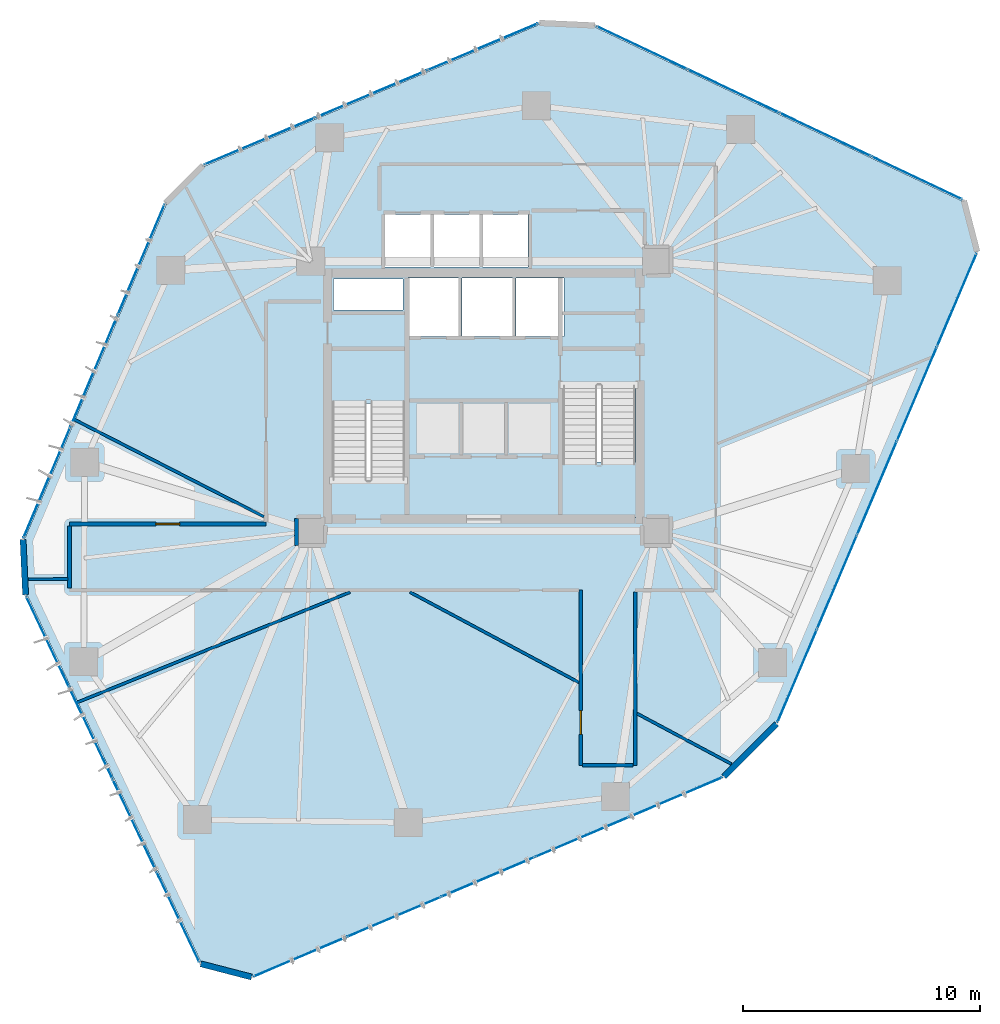
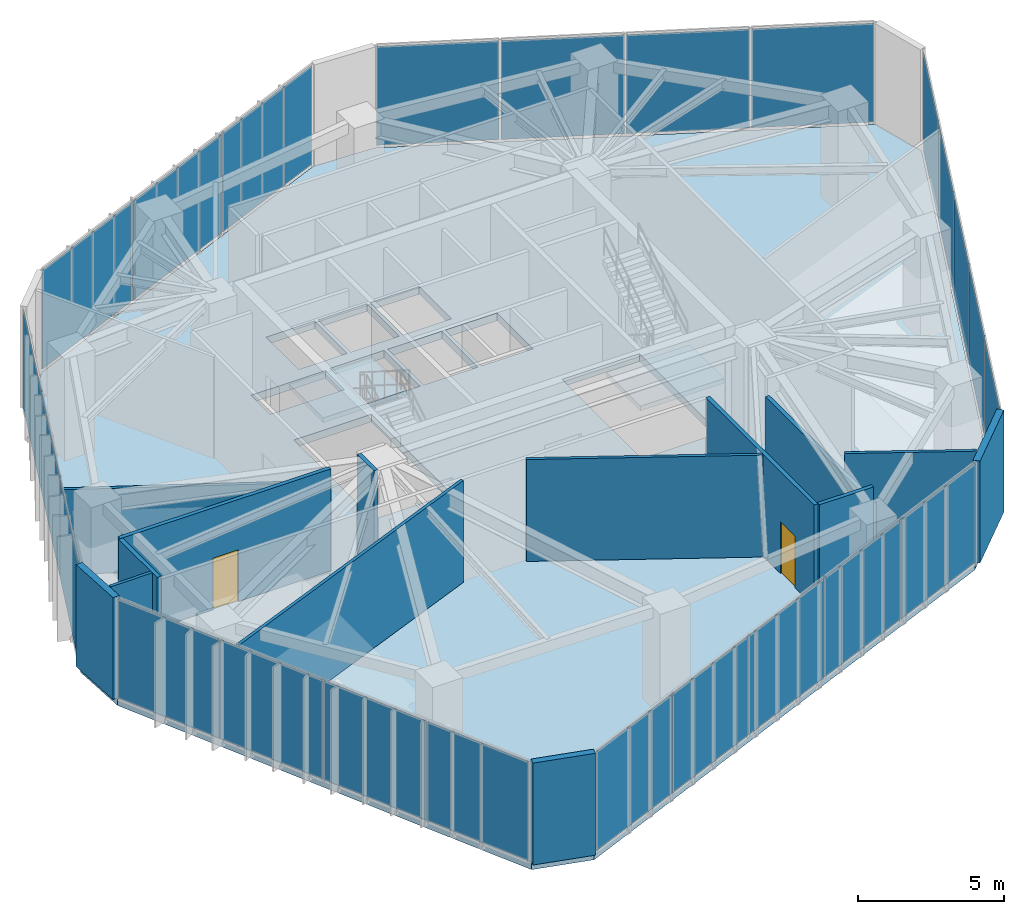
# One storey, part 21 of 28: 24 plates, 14 walls, 3 slabs, 2 doors, 2 openings, 8 elements without a shape of their own.
"""IFC4 building model written with IfcOpenShell, lengths in metres."""

from ifc_helpers import new_model, si_unit, direction, frame, frame_2d, origin, origin_2d, place, context, subcontext, project, spatial, polyline, rectangle, outline, extrude, source, transform, mapped, material, layer, layer_set, type_object, type_shapes, element, fill, aggregate, save


model = new_model("IFC4")

# Units and contexts
model_context = context("Model", 3, precision=1e-05, world=origin(), true_north=direction((0.0, 1.0)))
body_context = subcontext(model_context, "Body", "Model", "MODEL_VIEW")
ifc_project = project(units=[si_unit("LENGTHUNIT", "METRE"), si_unit("AREAUNIT", "SQUARE_METRE"), si_unit("VOLUMEUNIT", "CUBIC_METRE"), si_unit("PLANEANGLEUNIT", "RADIAN"), si_unit("MASSUNIT", "GRAM", prefix="KILO")], contexts=[model_context])

# Site, building, storey
site_placement = place(None, origin())
site = spatial("IfcSite", under=ifc_project, at=site_placement, CompositionType="ELEMENT")
building_placement = place(site_placement, origin())
building = spatial("IfcBuilding", under=site, at=building_placement, Name="Talar Marvaseh", CompositionType="ELEMENT")
storey_placement = place(building_placement, frame((0.0, 0.0, 157.800048828125)))
storey = spatial("IfcBuildingStorey", under=building, at=storey_placement, Name="L41", CompositionType="ELEMENT", Elevation=157.800048828125)

# Stair, slab
ifc_material_1 = material(Name="Concrete C40/50", Category="concrete")
stair_type = type_object("IfcStairType", Name="Reinforced Concrete Half-Turn Exit Stair Type B", PredefinedType="HALF_TURN_STAIR", material=ifc_material_1)
stair_1_placement = place(storey_placement, origin())
stair_1 = element("IfcStair", 1, at=stair_1_placement, inside=storey, type_object=stair_type, Name="L41 Tower West Core Exit Stair", PredefinedType="HALF_TURN_STAIR")
ifc_layer_1 = layer(ifc_material_1, 0.199951171875)
ifc_layer_set_1 = layer_set([ifc_layer_1], Name="Concrete C40/50")
slab_type_1 = type_object("IfcSlabType", Name="Reinforced Concrete Stair Half-Landing Slab 200", PredefinedType="LANDING", material=ifc_layer_set_1)
slab_1_placement = place(storey_placement, frame((0.0, 0.0, 2.099853515625)))
slab_1 = element("IfcSlab", 2, at=slab_1_placement, type_object=slab_type_1, Name="ST-1 landing 1", PredefinedType="LANDING", context=body_context, shape_type="SweptSolid", body=[
    extrude(outline(polyline([(22.780029296875, 30.889892578125), (22.780029296875, 33.219970703125), (19.47998046875, 33.219970703125), (19.47998046875, 30.889892578125), (22.780029296875, 30.889892578125)])), origin(), (0.0, 0.0, 1.0), 0.2001953125),
])
aggregate(stair_1, [slab_1])

stair_2_placement = place(storey_placement, origin())
stair_2 = element("IfcStair", 3, at=stair_2_placement, inside=storey, type_object=stair_type, Name="L41 Tower East Core Exit Stair", PredefinedType="HALF_TURN_STAIR")
slab_2_placement = place(storey_placement, frame((0.0, 0.0, 2.099853515625)))
slab_2 = element("IfcSlab", 4, at=slab_2_placement, type_object=slab_type_1, Name="ST-2 landing 1", PredefinedType="LANDING", context=body_context, shape_type="SweptSolid", body=[
    extrude(outline(polyline([(29.219970703125, 28.409912109375), (29.219970703125, 26.080078125), (32.52001953125, 26.080078125), (32.52001953125, 28.409912109375), (29.219970703125, 28.409912109375)])), origin(), (0.0, 0.0, 1.0), 0.2001953125),
])
aggregate(stair_2, [slab_2])

# Slab
ifc_material_2 = material(Name="Concrete C50/60", Category="concrete")
ifc_layer_2 = layer(ifc_material_2, 0.320068359375)
ifc_layer_set_2 = layer_set([ifc_layer_2], Name="Concrete C50/60")
slab_type_2 = type_object("IfcSlabType", Name="Structural Suspended Floor Slab 320", PredefinedType="FLOOR", material=ifc_layer_set_2)
slab_3_placement = place(storey_placement, frame((0.0, 0.0, -0.320068359375)))
element("IfcSlab", 5, at=slab_3_placement, inside=storey, type_object=slab_type_2, Name="L41 Tower Floor Slab", PredefinedType="FLOOR", context=body_context, shape_type="SweptSolid", body=[
    extrude(outline(polyline([(16.208740234375, 6.71240234375), (14.063720703125, 7.270263671875), (6.7041015625, 22.806884765625), (6.5966796875, 25.145263671875), (12.593505859375, 39.319091796875), (14.180908203125, 40.906494140625), (28.354736328125, 46.9033203125), (30.693115234375, 46.7958984375), (46.229736328125, 39.436279296875), (46.78759765625, 37.291259765625), (38.337646484375, 17.393310546875), (36.106689453125, 15.162353515625), (16.208740234375, 6.71240234375)]), holes=[polyline([(22.659912109375, 27.64990234375), (22.659912109375, 33.10009765625), (19.60009765625, 33.10009765625), (19.60009765625, 27.64990234375), (22.659912109375, 27.64990234375)]), polyline([(29.340087890625, 31.64990234375), (29.340087890625, 26.199951171875), (32.39990234375, 26.199951171875), (32.39990234375, 31.64990234375), (29.340087890625, 31.64990234375)]), polyline([(22.800048828125, 33.719970703125), (24.93994140625, 33.719970703125), (24.93994140625, 36.179931640625), (22.800048828125, 36.179931640625), (22.800048828125, 33.719970703125)]), polyline([(25.080078125, 33.719970703125), (27.219970703125, 33.719970703125), (27.219970703125, 36.179931640625), (25.080078125, 36.179931640625), (25.080078125, 33.719970703125)]), polyline([(27.360107421875, 33.719970703125), (29.39990234375, 33.719970703125), (29.39990234375, 36.179931640625), (27.360107421875, 36.179931640625), (27.360107421875, 33.719970703125)]), polyline([(21.840087890625, 36.659912109375), (23.760009765625, 36.659912109375), (23.760009765625, 38.8798828125), (21.840087890625, 38.8798828125), (21.840087890625, 36.659912109375)]), polyline([(23.89990234375, 36.659912109375), (25.820068359375, 36.659912109375), (25.820068359375, 38.8798828125), (23.89990234375, 38.8798828125), (23.89990234375, 36.659912109375)]), polyline([(25.9599609375, 36.659912109375), (27.8798828125, 36.659912109375), (27.8798828125, 38.8798828125), (25.9599609375, 38.8798828125), (25.9599609375, 36.659912109375)]), polyline([(19.659912109375, 34.840087890625), (22.60009765625, 34.840087890625), (22.60009765625, 36.139892578125), (19.659912109375, 36.139892578125), (19.659912109375, 34.840087890625)])]), origin(), (0.0, 0.0, 1.0), 0.320068359375),
])

# Curtain wall, plates
ifc_material_3 = material(Name="Architectural Aluminium", Category="aluminium")
ifc_layer_3 = layer(ifc_material_3, 0.239990234375)
ifc_layer_set_3 = layer_set([ifc_layer_3], Name="Architectural Aluminium")
curtain_wall_type = type_object("IfcCurtainWallType", Name="Observation Sky Gallery Structural Glass Wall", PredefinedType="NOTDEFINED", material=ifc_layer_set_3)
curtain_wall_1_placement = place(storey_placement, origin())
curtain_wall_1 = element("IfcCurtainWall", 6, at=curtain_wall_1_placement, inside=storey, type_object=curtain_wall_type, Name="L41 Observation Sky Gallery Structural Glass Wall", PredefinedType="NOTDEFINED")
ifc_material_4 = material(Name="Laminated Low-E Solar Glass", Category="glass")
ifc_layer_4 = layer(ifc_material_4, 0.028076171875)
ifc_layer_set_4 = layer_set([ifc_layer_4], Name="Laminated Low-E Solar Glass")
plate_type = type_object("IfcPlateType", Name="Double-Glazed Low-E Vision Curtain Panel 28", PredefinedType="CURTAIN_PANEL", material=ifc_layer_set_4)
shared_shape_1 = source(origin(), body_context, "Body", "SweptSolid", [
    extrude(rectangle(XDim=4.200439453125, YDim=0.028076171875, at=origin_2d()), origin(), (0.0, 0.0, 1.0), 4.1201171875),
])
plate_1_placement = place(storey_placement, frame((13.08251953125, 9.201416015625, 0.06494140625), z_axis=(0.0, 0.0, 1.0), x_axis=(-0.428089095221, 0.903736536028, 0.0)))
plate_1 = element("IfcPlate", 7, at=plate_1_placement, type_object=plate_type, Name="CW-OBS panel 1.1", PredefinedType="CURTAIN_PANEL", context=body_context, shape_type="MappedRepresentation", body=[
    mapped(shared_shape_1, transform((0.0, 0.0, 0.0), x_axis=(1.0, 0.0, 0.0), y_axis=(0.0, 1.0, 0.0), z_axis=(0.0, 0.0, 1.0), scale=1.0)),
])
plate_2_placement = place(storey_placement, frame((7.576904296875, 20.824462890625, 0.06494140625), z_axis=(0.0, 0.0, 1.0), x_axis=(-0.428089095221, 0.903736536028, 0.0)))
plate_2 = element("IfcPlate", 8, at=plate_2_placement, type_object=plate_type, Name="CW-OBS panel 4.1", PredefinedType="CURTAIN_PANEL", context=body_context, shape_type="MappedRepresentation", body=[
    mapped(shared_shape_1, transform((0.0, 0.0, 0.0), x_axis=(1.0, 0.0, 0.0), y_axis=(0.0, 1.0, 0.0), z_axis=(0.0, 0.0, 1.0), scale=1.0)),
])

curtain_wall_2_placement = place(storey_placement, origin())
curtain_wall_2 = element("IfcCurtainWall", 9, at=curtain_wall_2_placement, inside=storey, type_object=curtain_wall_type, Name="L41 Observation Sky Gallery Structural Glass Wall", PredefinedType="NOTDEFINED")
plate_3_placement = place(storey_placement, frame((32.675537109375, 45.923095703125, 0.06494140625), z_axis=(0.0, 0.0, 1.0), x_axis=(0.903736536028, -0.428089095221, 0.0)))
plate_3 = element("IfcPlate", 10, at=plate_3_placement, type_object=plate_type, Name="CW-OBS panel 1.1", PredefinedType="CURTAIN_PANEL", context=body_context, shape_type="MappedRepresentation", body=[
    mapped(shared_shape_1, transform((0.0, 0.0, 0.0), x_axis=(1.0, 0.0, 0.0), y_axis=(0.0, 1.0, 0.0), z_axis=(0.0, 0.0, 1.0), scale=1.0)),
])
plate_4_placement = place(storey_placement, frame((44.298583984375, 40.41748046875, 0.06494140625), z_axis=(0.0, 0.0, 1.0), x_axis=(0.903736536028, -0.428089095221, 0.0)))
plate_4 = element("IfcPlate", 11, at=plate_4_placement, type_object=plate_type, Name="CW-OBS panel 4.1", PredefinedType="CURTAIN_PANEL", context=body_context, shape_type="MappedRepresentation", body=[
    mapped(shared_shape_1, transform((0.0, 0.0, 0.0), x_axis=(1.0, 0.0, 0.0), y_axis=(0.0, 1.0, 0.0), z_axis=(0.0, 0.0, 1.0), scale=1.0)),
])

# Plate
shared_shape_2 = source(origin(), body_context, "Body", "SweptSolid", [
    extrude(rectangle(XDim=4.23291015625, YDim=0.028076171875, at=origin_2d()), origin(), (0.0, 0.0, 1.0), 4.1201171875),
])
plate_5_placement = place(storey_placement, frame((11.24951171875, 13.07080078125, 0.06494140625), z_axis=(0.0, 0.0, 1.0), x_axis=(-0.428089095221, 0.903736536028, 0.0)))
plate_5 = element("IfcPlate", 12, at=plate_5_placement, type_object=plate_type, Name="CW-OBS panel 2.1", PredefinedType="CURTAIN_PANEL", context=body_context, shape_type="MappedRepresentation", body=[
    mapped(shared_shape_2, transform((0.0, 0.0, 0.0), x_axis=(1.0, 0.0, 0.0), y_axis=(0.0, 1.0, 0.0), z_axis=(0.0, 0.0, 1.0), scale=1.0)),
])

plate_6_placement = place(storey_placement, frame((9.40966796875, 16.955078125, 0.06494140625), z_axis=(0.0, 0.0, 1.0), x_axis=(-0.428089095221, 0.903736536028, 0.0)))
plate_6 = element("IfcPlate", 13, at=plate_6_placement, type_object=plate_type, Name="CW-OBS panel 3.1", PredefinedType="CURTAIN_PANEL", context=body_context, shape_type="MappedRepresentation", body=[
    mapped(shared_shape_2, transform((0.0, 0.0, 0.0), x_axis=(1.0, 0.0, 0.0), y_axis=(0.0, 1.0, 0.0), z_axis=(0.0, 0.0, 1.0), scale=1.0)),
])

aggregate(curtain_wall_1, [plate_1, plate_5, plate_6, plate_2])

plate_7_placement = place(storey_placement, frame((36.544921875, 44.09033203125, 0.06494140625), z_axis=(0.0, 0.0, 1.0), x_axis=(0.903736536028, -0.428089095221, 0.0)))
plate_7 = element("IfcPlate", 14, at=plate_7_placement, type_object=plate_type, Name="CW-OBS panel 2.1", PredefinedType="CURTAIN_PANEL", context=body_context, shape_type="MappedRepresentation", body=[
    mapped(shared_shape_2, transform((0.0, 0.0, 0.0), x_axis=(1.0, 0.0, 0.0), y_axis=(0.0, 1.0, 0.0), z_axis=(0.0, 0.0, 1.0), scale=1.0)),
])

plate_8_placement = place(storey_placement, frame((40.42919921875, 42.25048828125, 0.06494140625), z_axis=(0.0, 0.0, 1.0), x_axis=(0.903736536028, -0.428089095221, 0.0)))
plate_8 = element("IfcPlate", 15, at=plate_8_placement, type_object=plate_type, Name="CW-OBS panel 3.1", PredefinedType="CURTAIN_PANEL", context=body_context, shape_type="MappedRepresentation", body=[
    mapped(shared_shape_2, transform((0.0, 0.0, 0.0), x_axis=(1.0, 0.0, 0.0), y_axis=(0.0, 1.0, 0.0), z_axis=(0.0, 0.0, 1.0), scale=1.0)),
])

aggregate(curtain_wall_2, [plate_3, plate_7, plate_8, plate_4])

# Curtain wall, plates
curtain_wall_3_placement = place(storey_placement, origin())
curtain_wall_3 = element("IfcCurtainWall", 16, at=curtain_wall_3_placement, inside=storey, type_object=curtain_wall_type, Name="L41 Observation Sky Gallery Structural Glass Wall", PredefinedType="NOTDEFINED")
shared_shape_3 = source(origin(), body_context, "Body", "SweptSolid", [
    extrude(rectangle(XDim=5.032470703125, YDim=0.028076171875, at=origin_2d()), origin(), (0.0, 0.0, 1.0), 4.1201171875),
])
plate_9_placement = place(storey_placement, frame((7.54736328125, 27.5458984375, 0.06494140625), z_axis=(0.0, 0.0, 1.0), x_axis=(0.389639566894, 0.920967430429, 0.0)))
plate_9 = element("IfcPlate", 17, at=plate_9_placement, type_object=plate_type, Name="CW-OBS panel 1.1", PredefinedType="CURTAIN_PANEL", context=body_context, shape_type="MappedRepresentation", body=[
    mapped(shared_shape_3, transform((0.0, 0.0, 0.0), x_axis=(1.0, 0.0, 0.0), y_axis=(0.0, 1.0, 0.0), z_axis=(0.0, 0.0, 1.0), scale=1.0)),
])
plate_10_placement = place(storey_placement, frame((11.5322265625, 36.96533203125, 0.06494140625), z_axis=(0.0, 0.0, 1.0), x_axis=(0.389639566894, 0.920967430429, 0.0)))
plate_10 = element("IfcPlate", 18, at=plate_10_placement, type_object=plate_type, Name="CW-OBS panel 3.1", PredefinedType="CURTAIN_PANEL", context=body_context, shape_type="MappedRepresentation", body=[
    mapped(shared_shape_3, transform((0.0, 0.0, 0.0), x_axis=(1.0, 0.0, 0.0), y_axis=(0.0, 1.0, 0.0), z_axis=(0.0, 0.0, 1.0), scale=1.0)),
])

curtain_wall_4_placement = place(storey_placement, origin())
curtain_wall_4 = element("IfcCurtainWall", 19, at=curtain_wall_4_placement, inside=storey, type_object=curtain_wall_type, Name="L41 Observation Sky Gallery Structural Glass Wall", PredefinedType="NOTDEFINED")
plate_11_placement = place(storey_placement, frame((16.53466796875, 41.9677734375, 0.06494140625), z_axis=(0.0, 0.0, 1.0), x_axis=(0.920967430429, 0.389639566894, 0.0)))
plate_11 = element("IfcPlate", 20, at=plate_11_placement, type_object=plate_type, Name="CW-OBS panel 1.1", PredefinedType="CURTAIN_PANEL", context=body_context, shape_type="MappedRepresentation", body=[
    mapped(shared_shape_3, transform((0.0, 0.0, 0.0), x_axis=(1.0, 0.0, 0.0), y_axis=(0.0, 1.0, 0.0), z_axis=(0.0, 0.0, 1.0), scale=1.0)),
])
plate_12_placement = place(storey_placement, frame((25.9541015625, 45.95263671875, 0.06494140625), z_axis=(0.0, 0.0, 1.0), x_axis=(0.920967430429, 0.389639566894, 0.0)))
plate_12 = element("IfcPlate", 21, at=plate_12_placement, type_object=plate_type, Name="CW-OBS panel 3.1", PredefinedType="CURTAIN_PANEL", context=body_context, shape_type="MappedRepresentation", body=[
    mapped(shared_shape_3, transform((0.0, 0.0, 0.0), x_axis=(1.0, 0.0, 0.0), y_axis=(0.0, 1.0, 0.0), z_axis=(0.0, 0.0, 1.0), scale=1.0)),
])

# Plate
shared_shape_4 = source(origin(), body_context, "Body", "SweptSolid", [
    extrude(rectangle(XDim=5.06494140625, YDim=0.028076171875, at=origin_2d()), origin(), (0.0, 0.0, 1.0), 4.1201171875),
])
plate_13_placement = place(storey_placement, frame((9.539794921875, 32.255615234375, 0.06494140625), z_axis=(0.0, 0.0, 1.0), x_axis=(0.389639566894, 0.920967430429, 0.0)))
plate_13 = element("IfcPlate", 22, at=plate_13_placement, type_object=plate_type, Name="CW-OBS panel 2.1", PredefinedType="CURTAIN_PANEL", context=body_context, shape_type="MappedRepresentation", body=[
    mapped(shared_shape_4, transform((0.0, 0.0, 0.0), x_axis=(1.0, 0.0, 0.0), y_axis=(0.0, 1.0, 0.0), z_axis=(0.0, 0.0, 1.0), scale=1.0)),
])

aggregate(curtain_wall_3, [plate_9, plate_13, plate_10])

plate_14_placement = place(storey_placement, frame((21.244384765625, 43.960205078125, 0.06494140625), z_axis=(0.0, 0.0, 1.0), x_axis=(0.920967430429, 0.389639566894, 0.0)))
plate_14 = element("IfcPlate", 23, at=plate_14_placement, type_object=plate_type, Name="CW-OBS panel 2.1", PredefinedType="CURTAIN_PANEL", context=body_context, shape_type="MappedRepresentation", body=[
    mapped(shared_shape_4, transform((0.0, 0.0, 0.0), x_axis=(1.0, 0.0, 0.0), y_axis=(0.0, 1.0, 0.0), z_axis=(0.0, 0.0, 1.0), scale=1.0)),
])

aggregate(curtain_wall_4, [plate_11, plate_14, plate_12])

# Curtain wall, plates
curtain_wall_5_placement = place(storey_placement, origin())
curtain_wall_5 = element("IfcCurtainWall", 24, at=curtain_wall_5_placement, inside=storey, type_object=curtain_wall_type, Name="L41 Observation Sky Gallery Structural Glass Wall", PredefinedType="NOTDEFINED")
shared_shape_5 = source(origin(), body_context, "Body", "SweptSolid", [
    extrude(rectangle(XDim=4.22607421875, YDim=0.028076171875, at=origin_2d()), origin(), (0.0, 0.0, 1.0), 4.1201171875),
])
plate_15_placement = place(storey_placement, frame((45.991455078125, 35.262939453125, 0.06494140625), z_axis=(0.0, 0.0, 1.0), x_axis=(-0.390873897571, -0.920444238505, 0.0)))
plate_15 = element("IfcPlate", 25, at=plate_15_placement, type_object=plate_type, Name="CW-OBS panel 1.1", PredefinedType="CURTAIN_PANEL", context=body_context, shape_type="MappedRepresentation", body=[
    mapped(shared_shape_5, transform((0.0, 0.0, 0.0), x_axis=(1.0, 0.0, 0.0), y_axis=(0.0, 1.0, 0.0), z_axis=(0.0, 0.0, 1.0), scale=1.0)),
])
plate_16_placement = place(storey_placement, frame((39.244140625, 19.37451171875, 0.06494140625), z_axis=(0.0, 0.0, 1.0), x_axis=(-0.390873897571, -0.920444238505, 0.0)))
plate_16 = element("IfcPlate", 26, at=plate_16_placement, type_object=plate_type, Name="CW-OBS panel 5.1", PredefinedType="CURTAIN_PANEL", context=body_context, shape_type="MappedRepresentation", body=[
    mapped(shared_shape_5, transform((0.0, 0.0, 0.0), x_axis=(1.0, 0.0, 0.0), y_axis=(0.0, 1.0, 0.0), z_axis=(0.0, 0.0, 1.0), scale=1.0)),
])

curtain_wall_6_placement = place(storey_placement, origin())
curtain_wall_6 = element("IfcCurtainWall", 27, at=curtain_wall_6_placement, inside=storey, type_object=curtain_wall_type, Name="L41 Observation Sky Gallery Structural Glass Wall", PredefinedType="NOTDEFINED")
plate_17_placement = place(storey_placement, frame((34.12548828125, 14.255859375, 0.06494140625), z_axis=(0.0, 0.0, 1.0), x_axis=(-0.920444238505, -0.390873897571, 0.0)))
plate_17 = element("IfcPlate", 28, at=plate_17_placement, type_object=plate_type, Name="CW-OBS panel 1.1", PredefinedType="CURTAIN_PANEL", context=body_context, shape_type="MappedRepresentation", body=[
    mapped(shared_shape_5, transform((0.0, 0.0, 0.0), x_axis=(1.0, 0.0, 0.0), y_axis=(0.0, 1.0, 0.0), z_axis=(0.0, 0.0, 1.0), scale=1.0)),
])
plate_18_placement = place(storey_placement, frame((18.237060546875, 7.508544921875, 0.06494140625), z_axis=(0.0, 0.0, 1.0), x_axis=(-0.920444238505, -0.390873897571, 0.0)))
plate_18 = element("IfcPlate", 29, at=plate_18_placement, type_object=plate_type, Name="CW-OBS panel 5.1", PredefinedType="CURTAIN_PANEL", context=body_context, shape_type="MappedRepresentation", body=[
    mapped(shared_shape_5, transform((0.0, 0.0, 0.0), x_axis=(1.0, 0.0, 0.0), y_axis=(0.0, 1.0, 0.0), z_axis=(0.0, 0.0, 1.0), scale=1.0)),
])

# Plate
shared_shape_6 = source(origin(), body_context, "Body", "SweptSolid", [
    extrude(rectangle(XDim=4.258544921875, YDim=0.028076171875, at=origin_2d()), origin(), (0.0, 0.0, 1.0), 4.1201171875),
])
type_shapes(plate_type, [shared_shape_1, shared_shape_2, shared_shape_3, shared_shape_4, shared_shape_5, shared_shape_6])
plate_19_placement = place(storey_placement, frame((44.307861328125, 31.29833984375, 0.06494140625), z_axis=(0.0, 0.0, 1.0), x_axis=(-0.390873897571, -0.920444238505, 0.0)))
plate_19 = element("IfcPlate", 30, at=plate_19_placement, type_object=plate_type, Name="CW-OBS panel 2.1", PredefinedType="CURTAIN_PANEL", context=body_context, shape_type="MappedRepresentation", body=[
    mapped(shared_shape_6, transform((0.0, 0.0, 0.0), x_axis=(1.0, 0.0, 0.0), y_axis=(0.0, 1.0, 0.0), z_axis=(0.0, 0.0, 1.0), scale=1.0)),
])

plate_20_placement = place(storey_placement, frame((42.617919921875, 27.31884765625, 0.06494140625), z_axis=(0.0, 0.0, 1.0), x_axis=(-0.390873897571, -0.920444238505, 0.0)))
plate_20 = element("IfcPlate", 31, at=plate_20_placement, type_object=plate_type, Name="CW-OBS panel 3.1", PredefinedType="CURTAIN_PANEL", context=body_context, shape_type="MappedRepresentation", body=[
    mapped(shared_shape_6, transform((0.0, 0.0, 0.0), x_axis=(1.0, 0.0, 0.0), y_axis=(0.0, 1.0, 0.0), z_axis=(0.0, 0.0, 1.0), scale=1.0)),
])

plate_21_placement = place(storey_placement, frame((40.927734375, 23.339111328125, 0.06494140625), z_axis=(0.0, 0.0, 1.0), x_axis=(-0.390873897571, -0.920444238505, 0.0)))
plate_21 = element("IfcPlate", 32, at=plate_21_placement, type_object=plate_type, Name="CW-OBS panel 4.1", PredefinedType="CURTAIN_PANEL", context=body_context, shape_type="MappedRepresentation", body=[
    mapped(shared_shape_6, transform((0.0, 0.0, 0.0), x_axis=(1.0, 0.0, 0.0), y_axis=(0.0, 1.0, 0.0), z_axis=(0.0, 0.0, 1.0), scale=1.0)),
])

aggregate(curtain_wall_5, [plate_15, plate_19, plate_20, plate_21, plate_16])

plate_22_placement = place(storey_placement, frame((30.160888671875, 12.572265625, 0.06494140625), z_axis=(0.0, 0.0, 1.0), x_axis=(-0.920444238505, -0.390873897571, 0.0)))
plate_22 = element("IfcPlate", 33, at=plate_22_placement, type_object=plate_type, Name="CW-OBS panel 2.1", PredefinedType="CURTAIN_PANEL", context=body_context, shape_type="MappedRepresentation", body=[
    mapped(shared_shape_6, transform((0.0, 0.0, 0.0), x_axis=(1.0, 0.0, 0.0), y_axis=(0.0, 1.0, 0.0), z_axis=(0.0, 0.0, 1.0), scale=1.0)),
])

plate_23_placement = place(storey_placement, frame((26.18115234375, 10.882080078125, 0.06494140625), z_axis=(0.0, 0.0, 1.0), x_axis=(-0.920444238505, -0.390873897571, 0.0)))
plate_23 = element("IfcPlate", 34, at=plate_23_placement, type_object=plate_type, Name="CW-OBS panel 3.1", PredefinedType="CURTAIN_PANEL", context=body_context, shape_type="MappedRepresentation", body=[
    mapped(shared_shape_6, transform((0.0, 0.0, 0.0), x_axis=(1.0, 0.0, 0.0), y_axis=(0.0, 1.0, 0.0), z_axis=(0.0, 0.0, 1.0), scale=1.0)),
])

plate_24_placement = place(storey_placement, frame((22.20166015625, 9.192138671875, 0.06494140625), z_axis=(0.0, 0.0, 1.0), x_axis=(-0.920444238505, -0.390873897571, 0.0)))
plate_24 = element("IfcPlate", 35, at=plate_24_placement, type_object=plate_type, Name="CW-OBS panel 4.1", PredefinedType="CURTAIN_PANEL", context=body_context, shape_type="MappedRepresentation", body=[
    mapped(shared_shape_6, transform((0.0, 0.0, 0.0), x_axis=(1.0, 0.0, 0.0), y_axis=(0.0, 1.0, 0.0), z_axis=(0.0, 0.0, 1.0), scale=1.0)),
])

aggregate(curtain_wall_6, [plate_17, plate_22, plate_23, plate_24, plate_18])

# Walls
ifc_material_5 = material(Name="Precast concrete C45/55", Category="concrete")
ifc_layer_5 = layer(ifc_material_5, 0.2548828125)
ifc_layer_set_5 = layer_set([ifc_layer_5], Name="Precast concrete C45/55")
wall_type_1 = type_object("IfcWallType", Name="Chamfered Hexagonal Corner Pier Wall Z2 255", PredefinedType="SOLIDWALL", material=ifc_layer_set_5)
wall_1_placement = place(storey_placement, frame((16.193603515625, 6.654296875, 0.0), z_axis=(0.0, 0.0, 1.0), x_axis=(-0.967805335671, 0.251699885273, 0.0)))
element("IfcWall", 36, at=wall_1_placement, inside=storey, type_object=wall_type_1, Name="L41 Chamfered Corner Limestone Pier 1", PredefinedType="SOLIDWALL", context=body_context, shape_type="SweptSolid", body=[
    extrude(rectangle(XDim=2.21630859375, YDim=0.2548828125, at=frame_2d((1.108154296875, 0.0))), origin(), (0.0, 0.0, 1.0), 4.25),
])
wall_2_placement = place(storey_placement, frame((6.644287109375, 22.80419921875, 0.0), z_axis=(0.0, 0.0, 1.0), x_axis=(-0.045890212495, 0.998946489256, 0.0)))
element("IfcWall", 37, at=wall_2_placement, inside=storey, type_object=wall_type_1, Name="L41 Chamfered Corner Limestone Pier 2", PredefinedType="SOLIDWALL", context=body_context, shape_type="SweptSolid", body=[
    extrude(rectangle(XDim=2.3408203125, YDim=0.2548828125, at=frame_2d((1.17041015625, 0.0))), origin(), (0.0, 0.0, 1.0), 4.25),
])
wall_3_placement = place(storey_placement, frame((38.380126953125, 17.350830078125, 0.0), z_axis=(0.0, 0.0, 1.0), x_axis=(-0.707106781187, -0.707106781187, 0.0)))
element("IfcWall", 38, at=wall_3_placement, inside=storey, type_object=wall_type_1, Name="L41 Chamfered Corner Limestone Pier 6", PredefinedType="SOLIDWALL", context=body_context, shape_type="SweptSolid", body=[
    extrude(rectangle(XDim=3.155029296875, YDim=0.2548828125, at=frame_2d((1.57763671875, 0.0))), origin(), (0.0, 0.0, 1.0), 4.25),
])

# Wall, opening, door
ifc_material_6 = material(Name="Gypsum Board Partition Assembly")
ifc_layer_6 = layer(ifc_material_6, 0.155029296875)
ifc_layer_set_6 = layer_set([ifc_layer_6], Name="Gypsum Board Partition Assembly")
wall_type_2 = type_object("IfcWallType", Name="Corridor Fire-Rated Acoustic Partition 155", PredefinedType="PARTITIONING", material=ifc_layer_set_6)
wall_4_placement = place(storey_placement, frame((8.5, 25.800048828125, 0.0), z_axis=(0.0, 0.0, 1.0), x_axis=(1.0, 0.0, 0.0)))
wall_4 = element("IfcWall", 39, at=wall_4_placement, inside=storey, type_object=wall_type_2, Name="L41 Interior Partition Wall", PredefinedType="PARTITIONING", context=body_context, shape_type="SweptSolid", body=[
    extrude(rectangle(XDim=8.300048828125, YDim=0.155029296875, at=frame_2d((4.14990234375, 0.0))), origin(), (0.0, 0.0, 1.0), 4.25),
])
opening_1_placement = place(wall_4_placement, frame((3.64990234375, 0.0, 0.0)))
opening_1 = element("IfcOpeningElement", 40, at=opening_1_placement, cuts=wall_4, Name="Opening DR-RM100", PredefinedType="OPENING", context=body_context, shape_type="SweptSolid", body=[
    extrude(rectangle(XDim=1.0, YDim=2.14990234375, at=frame_2d((0.5, 1.074951171875))), frame((0.0, 0.08740234375, 0.0), z_axis=(0.0, -1.0, 0.0), x_axis=(1.0, 0.0, 0.0)), (0.0, 0.0, 1.0), 0.175048828125),
])
ifc_material_7 = material(Name="Acoustic Engineered Oak Timber", Category="wood")
door_type = type_object("IfcDoorType", Name="Corridor Fire-Rated Gallery Door 1000x2150", OperationType="NOTDEFINED", PredefinedType="DOOR", material=ifc_material_7)
shared_shape_7 = source(origin(), body_context, "Body", "SweptSolid", [
    extrude(rectangle(XDim=1.0, YDim=2.14990234375, at=frame_2d((0.5, 1.074951171875))), frame((0.0, 0.02490234375, 0.0), z_axis=(0.0, -1.0, 0.0), x_axis=(1.0, 0.0, 0.0)), (0.0, 0.0, 1.0), 0.050048828125),
])
type_shapes(door_type, [shared_shape_7])
door_1_placement = place(opening_1_placement, origin())
door_1 = element("IfcDoor", 41, at=door_1_placement, inside=storey, type_object=door_type, Name="L41 Seminar Room Door", OperationType="SINGLE_SWING_RIGHT", OverallHeight=2.14990234375, OverallWidth=1.0, PredefinedType="DOOR", context=body_context, shape_type="MappedRepresentation", body=[
    mapped(shared_shape_7, transform((0.0, 0.0, 0.0), x_axis=(1.0, 0.0, 0.0), y_axis=(0.0, 1.0, 0.0), z_axis=(0.0, 0.0, 1.0), scale=1.0)),
])
fill(opening_1, door_1)

wall_5_placement = place(storey_placement, frame((30.10009765625, 15.60009765625, 0.0), z_axis=(0.0, 0.0, 1.0), x_axis=(0.0, 1.0, 0.0)))
wall_5 = element("IfcWall", 42, at=wall_5_placement, inside=storey, type_object=wall_type_2, Name="L41 Interior Partition Wall", PredefinedType="PARTITIONING", context=body_context, shape_type="SweptSolid", body=[
    extrude(rectangle(XDim=7.39990234375, YDim=0.155029296875, at=frame_2d((3.699951171875, 0.0))), origin(), (0.0, 0.0, 1.0), 4.25),
])
opening_2_placement = place(wall_5_placement, frame((1.309326171875, 0.0, 0.0)))
opening_2 = element("IfcOpeningElement", 43, at=opening_2_placement, cuts=wall_5, Name="Opening DR-RM100", PredefinedType="OPENING", context=body_context, shape_type="SweptSolid", body=[
    extrude(rectangle(XDim=1.0, YDim=2.14990234375, at=frame_2d((0.5, 1.074951171875))), frame((0.0, 0.08740234375, 0.0), z_axis=(0.0, -1.0, 0.0), x_axis=(1.0, 0.0, 0.0)), (0.0, 0.0, 1.0), 0.175048828125),
])
door_2_placement = place(opening_2_placement, origin())
door_2 = element("IfcDoor", 44, at=door_2_placement, inside=storey, type_object=door_type, Name="L41 Colloquium Boardroom Door", OperationType="SINGLE_SWING_RIGHT", OverallHeight=2.14990234375, OverallWidth=1.0, PredefinedType="DOOR", context=body_context, shape_type="MappedRepresentation", body=[
    mapped(shared_shape_7, transform((0.0, 0.0, 0.0), x_axis=(1.0, 0.0, 0.0), y_axis=(0.0, 1.0, 0.0), z_axis=(0.0, 0.0, 1.0), scale=1.0)),
])
fill(opening_2, door_2)

# Walls
wall_6_placement = place(storey_placement, frame((18.088623046875, 26.02587890625, 0.0), z_axis=(0.0, 0.0, 1.0), x_axis=(0.002787893948, -0.999996113816, 0.0)))
element("IfcWall", 45, at=wall_6_placement, inside=storey, type_object=wall_type_2, Name="L41 Interior Partition Wall", PredefinedType="PARTITIONING", context=body_context, shape_type="SweptSolid", body=[
    extrude(rectangle(XDim=1.138427734375, YDim=0.155029296875, at=frame_2d((0.5693359375, 0.0))), origin(), (0.0, 0.0, 1.0), 4.25),
])
wall_7_placement = place(storey_placement, frame((32.39990234375, 22.91650390625, 0.0), z_axis=(0.0, 0.0, 1.0), x_axis=(0.0, -1.0, 0.0)))
element("IfcWall", 46, at=wall_7_placement, inside=storey, type_object=wall_type_2, Name="L41 Interior Partition Wall", PredefinedType="PARTITIONING", context=body_context, shape_type="SweptSolid", body=[
    extrude(rectangle(XDim=7.31640625, YDim=0.155029296875, at=frame_2d((3.658203125, 0.0))), origin(), (0.0, 0.0, 1.0), 3.530029296875),
])
wall_8_placement = place(storey_placement, frame((32.31640625, 15.60009765625, 0.0), z_axis=(0.0, 0.0, 1.0), x_axis=(-1.0, 0.0, 0.0)))
element("IfcWall", 47, at=wall_8_placement, inside=storey, type_object=wall_type_2, Name="L41 Interior Partition Wall", PredefinedType="PARTITIONING", context=body_context, shape_type="SweptSolid", body=[
    extrude(rectangle(XDim=2.1328125, YDim=0.155029296875, at=frame_2d((1.06640625, 0.0))), origin(), (0.0, 0.0, 1.0), 4.25),
])
wall_9_placement = place(storey_placement, frame((8.5, 23.08349609375, 0.0), z_axis=(0.0, 0.0, 1.0), x_axis=(0.0, 1.0, 0.0)))
element("IfcWall", 48, at=wall_9_placement, inside=storey, type_object=wall_type_2, Name="L41 Interior Partition Wall", PredefinedType="PARTITIONING", context=body_context, shape_type="SweptSolid", body=[
    extrude(rectangle(XDim=2.633056640625, YDim=0.155029296875, at=frame_2d((1.31640625, 0.0))), origin(), (0.0, 0.0, 1.0), 4.25),
])
ifc_layer_7 = layer(ifc_material_6, 0.1201171875)
ifc_layer_set_7 = layer_set([ifc_layer_7], Name="Gypsum Board Partition Assembly")
wall_type_3 = type_object("IfcWallType", Name="Demountable Studio Room Partition 120", PredefinedType="PARTITIONING", material=ifc_layer_set_7)
wall_10_placement = place(storey_placement, frame((8.43505859375, 23.469482421875, 0.0), z_axis=(0.0, 0.0, 1.0), x_axis=(-0.999982658633, -0.005889179379, 0.0)))
element("IfcWall", 49, at=wall_10_placement, inside=storey, type_object=wall_type_3, Name="L41 Interior Partition Wall", PredefinedType="PARTITIONING", context=body_context, shape_type="SweptSolid", body=[
    extrude(rectangle(XDim=1.658203125, YDim=0.1201171875, at=frame_2d((0.8291015625, 0.0))), origin(), (0.0, 0.0, 1.0), 4.25),
])
wall_11_placement = place(storey_placement, frame((8.701904296875, 30.211181640625, 0.0), z_axis=(0.0, 0.0, 1.0), x_axis=(0.889893086986, -0.456169150353, 0.0)))
element("IfcWall", 50, at=wall_11_placement, inside=storey, type_object=wall_type_3, Name="L41 Interior Partition Wall", PredefinedType="PARTITIONING", context=body_context, shape_type="SweptSolid", body=[
    extrude(rectangle(XDim=9.00634765625, YDim=0.1201171875, at=frame_2d((4.503173828125, 0.0))), origin(), (0.0, 0.0, 1.0), 3.530029296875),
])
wall_12_placement = place(storey_placement, frame((20.353515625, 22.91650390625, 0.0), z_axis=(0.0, 0.0, 1.0), x_axis=(-0.927149674705, -0.374691180433, 0.0)))
element("IfcWall", 51, at=wall_12_placement, inside=storey, type_object=wall_type_3, Name="L41 Interior Partition Wall", PredefinedType="PARTITIONING", context=body_context, shape_type="SweptSolid", body=[
    extrude(rectangle(XDim=12.438720703125, YDim=0.1201171875, at=frame_2d((6.21923828125, 0.0))), origin(), (0.0, 0.0, 1.0), 4.25),
])
wall_13_placement = place(storey_placement, frame((22.88623046875, 22.91650390625, 0.0), z_axis=(0.0, 0.0, 1.0), x_axis=(0.881882751095, -0.471468782976, 0.0)))
element("IfcWall", 52, at=wall_13_placement, inside=storey, type_object=wall_type_3, Name="L41 Interior Partition Wall", PredefinedType="PARTITIONING", context=body_context, shape_type="SweptSolid", body=[
    extrude(rectangle(XDim=8.08544921875, YDim=0.1201171875, at=frame_2d((4.042724609375, 0.0))), origin(), (0.0, 0.0, 1.0), 4.25),
])
wall_14_placement = place(storey_placement, frame((32.4833984375, 17.785400390625, 0.0), z_axis=(0.0, 0.0, 1.0), x_axis=(0.881823385675, -0.471579809234, 0.0)))
element("IfcWall", 53, at=wall_14_placement, inside=storey, type_object=wall_type_3, Name="L41 Interior Partition Wall", PredefinedType="PARTITIONING", context=body_context, shape_type="SweptSolid", body=[
    extrude(rectangle(XDim=4.509765625, YDim=0.1201171875, at=frame_2d((2.2548828125, 0.0))), origin(), (0.0, 0.0, 1.0), 4.25),
])

save(model, "model.ifc")
